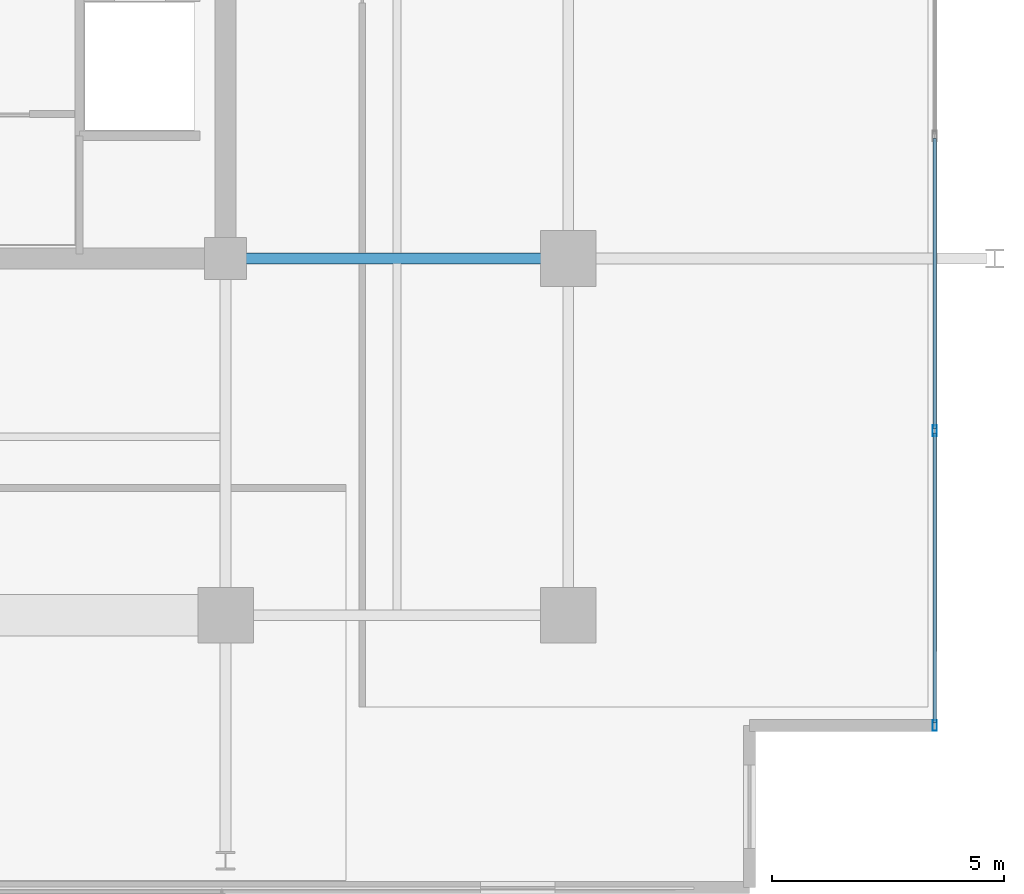
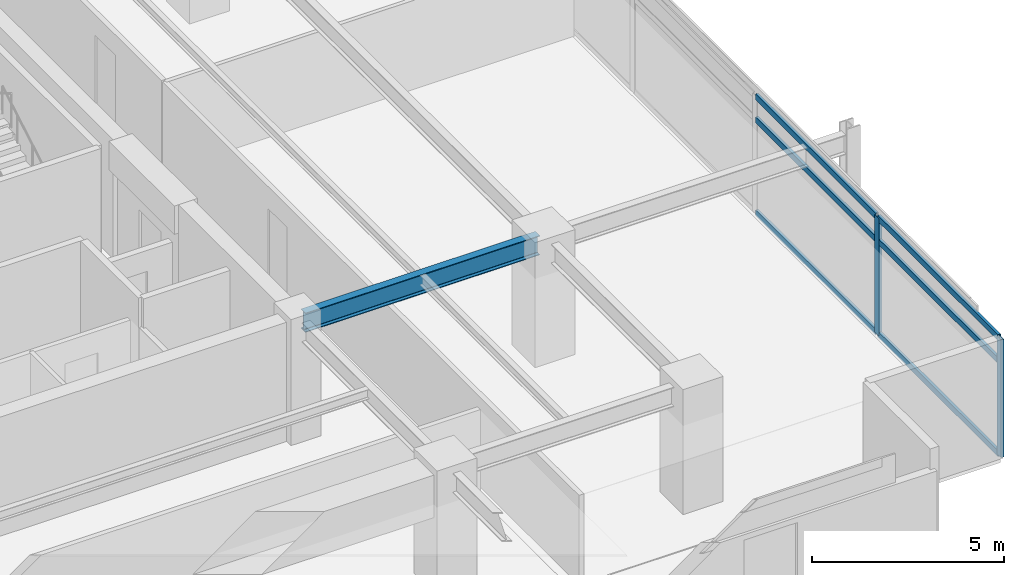
# One storey, part 7 of 23: 8 members, 1 beam, 1 element without a shape of its own.
"""IFC4 building model written with IfcOpenShell, lengths in metres."""

import ifcopenshell
import ifcopenshell.guid

model = None  # the IFC model being written
_history = None  # IfcOwnerHistory: only IFC2X3 demands one
_inside = {}  # id of a spatial element -> (the spatial element, [elements in it])
_under = {}  # id of a project, library or spatial element -> (it, [spatial elements below it])
_declared = {}  # id of a project -> (the project, [libraries it declares])
_typed = {}  # id of a type object -> (the type object, [elements of that type])
_made_of = {}  # id of a material, layer set ... -> (it, [elements and type objects made of it])


def new_model(schema):
    """Start an empty IFC model of exactly this schema.

    Asked for "IFC4X3", IfcOpenShell would pick the latest addendum, in which some entities
    have other attributes; the version numbers below select the first issue.
    IFC2X3 requires an IfcOwnerHistory on every rooted entity: one is made here for all.
    """
    global model, _history
    if schema == "IFC4X3":
        model = ifcopenshell.file(schema_version=(4, 3, 0, 0))
    else:
        model = ifcopenshell.file(schema=schema)
    _inside.clear()
    _under.clear()
    _declared.clear()
    _typed.clear()
    _made_of.clear()
    _history = None
    if model.schema == "IFC2X3":
        org = make("IfcOrganization", Name="unknown")
        user = make(
            "IfcPersonAndOrganization",
            ThePerson=make("IfcPerson", FamilyName="unknown"),
            TheOrganization=org,
        )
        app = make(
            "IfcApplication",
            ApplicationDeveloper=org,
            Version="unknown",
            ApplicationFullName="unknown",
            ApplicationIdentifier="unknown",
        )
        _history = make(
            "IfcOwnerHistory",
            OwningUser=user,
            OwningApplication=app,
            ChangeAction="ADDED",
            CreationDate=0,
        )
    return model


def make(cls, **values):
    """One entity of the class cls with the attributes given. An attribute that is None is left unset."""
    return model.create_entity(
        cls, **{name: value for name, value in values.items() if value is not None}
    )


def rooted(cls, **values):
    """An entity with a GlobalId (a new one), such as an element, a storey or a relation."""
    return make(cls, GlobalId=ifcopenshell.guid.new(), OwnerHistory=_history, **values)


def si_unit(unit_type, name, prefix=None):
    """IfcSIUnit, for example si_unit("LENGTHUNIT", "METRE", prefix="MILLI")."""
    return make("IfcSIUnit", UnitType=unit_type, Prefix=prefix, Name=name)


def assignment(units):
    """IfcUnitAssignment: the units of a project."""
    return None if units is None else make("IfcUnitAssignment", Units=units)


def point(xyz):
    """IfcCartesianPoint."""
    return None if xyz is None else make("IfcCartesianPoint", Coordinates=xyz)


def direction(xyz):
    """IfcDirection."""
    return None if xyz is None else make("IfcDirection", DirectionRatios=xyz)


def frame(location, z_axis=None, x_axis=None):
    """IfcAxis2Placement3D, a coordinate frame: its origin and axes. An axis left out is left unset."""
    return make(
        "IfcAxis2Placement3D",
        Location=point(location),
        Axis=direction(z_axis),
        RefDirection=direction(x_axis),
    )


def frame_2d(location, x_axis=None):
    """IfcAxis2Placement2D, a coordinate frame in the plane: its origin and x axis."""
    return make(
        "IfcAxis2Placement2D", Location=point(location), RefDirection=direction(x_axis)
    )


def origin():
    """The frame at (0, 0, 0) with its axes left unset."""
    return frame((0.0, 0.0, 0.0))


def origin_2d():
    """The frame at (0, 0) in the plane with its x axis left unset."""
    return frame_2d((0.0, 0.0))


def place(relative_to, where):
    """IfcLocalPlacement: puts the frame where relative to a parent placement (None: the world)."""
    return make(
        "IfcLocalPlacement", PlacementRelTo=relative_to, RelativePlacement=where
    )


def context(
    kind, dimensions, precision=None, world=None, true_north=None, identifier=None
):
    """IfcGeometricRepresentationContext, for example the 3D "Model" context."""
    return make(
        "IfcGeometricRepresentationContext",
        ContextIdentifier=identifier,
        ContextType=kind,
        CoordinateSpaceDimension=dimensions,
        Precision=precision,
        WorldCoordinateSystem=world,
        TrueNorth=true_north,
    )


def subcontext(parent, identifier, kind, view, scale=None):
    """IfcGeometricRepresentationSubContext, for example "Body" below "Model"."""
    return make(
        "IfcGeometricRepresentationSubContext",
        ContextIdentifier=identifier,
        ContextType=kind,
        ParentContext=parent,
        TargetScale=scale,
        TargetView=view,
    )


def project(units=None, contexts=None):
    """IfcProject with its units and contexts."""
    return rooted(
        "IfcProject",
        Name="project",
        RepresentationContexts=contexts,
        UnitsInContext=assignment(units),
    )


def spatial(cls, under=None, at=None, **own):
    """A site, building, storey or space (cls), placed at a placement, below another one or the project."""
    s = rooted(cls, ObjectPlacement=at, **own)
    if under is not None:
        _under.setdefault(under.id(), (under, []))[1].append(s)
    return s


def profile(cls, at=None, kind="AREA", **sizes):
    """A parametric profile (cls). Its sizes go by their IFC names, for example OverallWidth=200.0."""
    return make(cls, ProfileType=kind, Position=at, **sizes)


def hollow_rectangle(**sizes):
    """IfcRectangleHollowProfileDef."""
    return profile("IfcRectangleHollowProfileDef", **sizes)


def i_section(**sizes):
    """IfcIShapeProfileDef."""
    return profile("IfcIShapeProfileDef", **sizes)


def extrude(swept, where, along, depth):
    """IfcExtrudedAreaSolid: the profile swept, set in the frame where, extruded along a direction by depth."""
    return make(
        "IfcExtrudedAreaSolid",
        SweptArea=swept,
        Position=where,
        ExtrudedDirection=direction(along),
        Depth=depth,
    )


def shape(context_of_items, identifier, shape_type, items):
    """IfcShapeRepresentation: the items that make up one representation, for example the "Body"."""
    return make(
        "IfcShapeRepresentation",
        ContextOfItems=context_of_items,
        RepresentationIdentifier=identifier,
        RepresentationType=shape_type,
        Items=items,
    )


def material(Name=None, Category=None):
    """IfcMaterial."""
    return make("IfcMaterial", Name=Name, Category=Category)


def material_profile(
    of_material, cross_section, Name=None, Category=None, Priority=None
):
    """IfcMaterialProfile: a cross section and its material."""
    return make(
        "IfcMaterialProfile",
        Name=Name,
        Material=of_material,
        Profile=cross_section,
        Priority=Priority,
        Category=Category,
    )


def profile_set(profiles, Name=None, composite=None):
    """IfcMaterialProfileSet."""
    return make(
        "IfcMaterialProfileSet",
        Name=Name,
        MaterialProfiles=profiles,
        CompositeProfile=composite,
    )


def made_of(thing, what):
    """Note that an element or type object is made of a material, layer set ...; save() writes the relation."""
    if what is not None:
        _made_of.setdefault(what.id(), (what, []))[1].append(thing)
    return thing


def type_object(cls, material=None, **own):
    """A type object (cls), such as IfcWallType, which elements share."""
    return made_of(rooted(cls, **own), material)


def element(
    cls,
    number,
    at=None,
    inside=None,
    cuts=None,
    type_object=None,
    material=None,
    context=None,
    identifier="Body",
    shape_type=None,
    held_by="IfcProductDefinitionShape",
    body=None,
    shapes=None,
    **own,
):
    """One element of the class cls, such as IfcWall. Its Tag is "e" and its number.

    at: its placement. inside: the storey or other place that contains it. cuts: it is an
    opening in that element (IfcRelVoidsElement). A single representation is given by context,
    identifier, shape_type and body (its items); several are given by shapes. held_by: the class
    of the entity that holds the representations. save() writes the other relations.
    """
    e = rooted(cls, Tag="e%d" % number, ObjectPlacement=at, **own)
    if body is not None:
        shapes = [shape(context, identifier, shape_type, body)]
    if shapes is not None:
        e.Representation = make(held_by, Representations=shapes)
    if inside is not None:
        _inside.setdefault(inside.id(), (inside, []))[1].append(e)
    if cuts is not None:
        rooted(
            "IfcRelVoidsElement", RelatingBuildingElement=cuts, RelatedOpeningElement=e
        )
    if type_object is not None:
        _typed.setdefault(type_object.id(), (type_object, []))[1].append(e)
    return made_of(e, material)


def aggregate(whole, parts):
    """IfcRelAggregates: a whole, such as a stair, and the parts it consists of."""
    return rooted("IfcRelAggregates", RelatingObject=whole, RelatedObjects=parts)


def save(model, path):
    """Write the relations noted so far, then the file.

    IfcRelAggregates (storeys below a building ...), IfcRelContainedInSpatialStructure (elements
    in a storey), IfcRelDefinesByType, IfcRelAssociatesMaterial and IfcRelDeclares: one each for
    every whole, place, type object, material and project.
    """
    for whole, parts in _under.values():
        aggregate(whole, parts)
    for where, things in _inside.values():
        rooted(
            "IfcRelContainedInSpatialStructure",
            RelatedElements=things,
            RelatingStructure=where,
        )
    for kind, things in _typed.values():
        rooted("IfcRelDefinesByType", RelatedObjects=things, RelatingType=kind)
    for what, things in _made_of.values():
        rooted("IfcRelAssociatesMaterial", RelatedObjects=things, RelatingMaterial=what)
    for by, libraries in _declared.values():
        rooted("IfcRelDeclares", RelatingContext=by, RelatedDefinitions=libraries)
    model.write(path)


model = new_model("IFC4")

# Units and contexts
model_context = context("Model", 3, precision=1e-05, world=origin(), true_north=direction((0.0, 1.0)))
body_context = subcontext(model_context, "Body", "Model", "MODEL_VIEW")
ifc_project = project(units=[si_unit("LENGTHUNIT", "METRE"), si_unit("AREAUNIT", "SQUARE_METRE"), si_unit("VOLUMEUNIT", "CUBIC_METRE"), si_unit("PLANEANGLEUNIT", "RADIAN"), si_unit("MASSUNIT", "GRAM", prefix="KILO")], contexts=[model_context])

# Site, building, storey
site_placement = place(None, origin())
site = spatial("IfcSite", under=ifc_project, at=site_placement, CompositionType="ELEMENT")
building_placement = place(site_placement, origin())
building = spatial("IfcBuilding", under=site, at=building_placement, Name="Kovane Verandah Tower", CompositionType="ELEMENT")
storey_placement = place(building_placement, frame((0.0, 0.0, 243.199951171875)))
storey = spatial("IfcBuildingStorey", under=building, at=storey_placement, Name="L56", CompositionType="ELEMENT", Elevation=243.199951171875)

# Beam
ifc_material_1 = material(Name="Steel S355", Category="steel")
ifc_material_profile_1 = material_profile(ifc_material_1, i_section(OverallWidth=0.230224609375, OverallDepth=0.6171875, WebThickness=0.01318359375, FlangeThickness=0.022216796875, FilletRadius=0.0126953125, at=origin_2d()), Name="UB610x229x140")
ifc_profile_set_1 = profile_set([ifc_material_profile_1], Name="Steel S355")
beam_type = type_object("IfcBeamType", Name="BM-UB610x140", PredefinedType="BEAM", material=ifc_profile_set_1)
beam_placement = place(storey_placement, frame((51.179931640625, 18.5, 3.4765625), z_axis=(1.0, 0.0, 0.0), x_axis=(0.0, 1.0, 0.0)))
element("IfcBeam", 1, at=beam_placement, inside=storey, type_object=beam_type, Name="L56 Primary Tower Girder G-E1", PredefinedType="BEAM", context=body_context, shape_type="SweptSolid", body=[
    extrude(i_section(OverallWidth=0.230224609375, OverallDepth=0.6171875, WebThickness=0.01318359375, FlangeThickness=0.022216796875, FilletRadius=0.0126953125, at=origin_2d()), origin(), (0.0, 0.0, 1.0), 7.0400390625),
])

# Curtain wall, members
ifc_material_2 = material(Name="Champagne Anodised Aluminium Frame with Low-E Clear Laminated Glass", Category="aluminium")
curtain_wall_type = type_object("IfcCurtainWallType", Name="CW-SYS-05-HIGH", PredefinedType="NOTDEFINED", material=ifc_material_2)
curtain_wall_placement = place(storey_placement, origin())
curtain_wall = element("IfcCurtainWall", 2, at=curtain_wall_placement, inside=storey, type_object=curtain_wall_type, Name="L56 E Unitised Curtain Wall", PredefinedType="NOTDEFINED")
ifc_material_3 = material(Name="Champagne Anodised Aluminium 6063-T6", Category="aluminium")
ifc_material_profile_2 = material_profile(ifc_material_3, hollow_rectangle(XDim=0.0849609375, YDim=0.22998046875, WallThickness=0.00390625, at=origin_2d()), Name="AL85x230x4")
ifc_profile_set_2 = profile_set([ifc_material_profile_2], Name="Champagne Anodised Aluminium 6063-T6")
member_type_1 = type_object("IfcMemberType", Name="CW-MUL-85x230", PredefinedType="MULLION", material=ifc_profile_set_2)
member_1_placement = place(storey_placement, frame((66.3076171875, 8.419921875, 0.02001953125), z_axis=(0.0, 0.0, 1.0), x_axis=(1.0, 0.0, 0.0)))
member_1 = element("IfcMember", 3, at=member_1_placement, type_object=member_type_1, Name="L56 E Unitised Curtain Wall Mullion 1", PredefinedType="MULLION", context=body_context, shape_type="SweptSolid", body=[
    extrude(hollow_rectangle(XDim=0.0849609375, YDim=0.22998046875, WallThickness=0.00390625, at=origin_2d()), origin(), (0.0, 0.0, 1.0), 3.7451171875),
])
member_2_placement = place(storey_placement, frame((66.3076171875, 14.780029296875, 0.02001953125), z_axis=(0.0, 0.0, 1.0), x_axis=(1.0, 0.0, 0.0)))
member_2 = element("IfcMember", 4, at=member_2_placement, type_object=member_type_1, Name="L56 E Unitised Curtain Wall Mullion 2", PredefinedType="MULLION", context=body_context, shape_type="SweptSolid", body=[
    extrude(hollow_rectangle(XDim=0.0849609375, YDim=0.22998046875, WallThickness=0.00390625, at=origin_2d()), origin(), (0.0, 0.0, 1.0), 3.7451171875),
])
ifc_material_profile_3 = material_profile(ifc_material_3, hollow_rectangle(XDim=0.0849609375, YDim=0.18994140625, WallThickness=0.00390625, at=origin_2d()), Name="AL85x190x4")
ifc_profile_set_3 = profile_set([ifc_material_profile_3], Name="Champagne Anodised Aluminium 6063-T6")
member_type_2 = type_object("IfcMemberType", Name="CW-TRN-85x190", PredefinedType="USERDEFINED", material=ifc_profile_set_3)
member_3_placement = place(storey_placement, frame((66.3076171875, 8.469970703125, 0.050048828125), z_axis=(0.0, 1.0, 0.0), x_axis=(-1.0, 0.0, 0.0)))
member_3 = element("IfcMember", 5, at=member_3_placement, type_object=member_type_2, Name="L56 E Unitised Curtain Wall Transom TB Bay 1", ObjectType="TRANSOM", PredefinedType="USERDEFINED", context=body_context, shape_type="SweptSolid", body=[
    extrude(hollow_rectangle(XDim=0.0849609375, YDim=0.18994140625, WallThickness=0.00390625, at=origin_2d()), origin(), (0.0, 0.0, 1.0), 6.260009765625),
])
member_4_placement = place(storey_placement, frame((66.3076171875, 8.469970703125, 3.005126953125), z_axis=(0.0, 1.0, 0.0), x_axis=(-1.0, 0.0, 0.0)))
member_4 = element("IfcMember", 6, at=member_4_placement, type_object=member_type_2, Name="L56 E Unitised Curtain Wall Transom TM Bay 1", ObjectType="TRANSOM", PredefinedType="USERDEFINED", context=body_context, shape_type="SweptSolid", body=[
    extrude(hollow_rectangle(XDim=0.0849609375, YDim=0.18994140625, WallThickness=0.00390625, at=origin_2d()), origin(), (0.0, 0.0, 1.0), 6.260009765625),
])
member_5_placement = place(storey_placement, frame((66.3076171875, 8.469970703125, 3.735107421875), z_axis=(0.0, 1.0, 0.0), x_axis=(-1.0, 0.0, 0.0)))
member_5 = element("IfcMember", 7, at=member_5_placement, type_object=member_type_2, Name="L56 E Unitised Curtain Wall Transom TT Bay 1", ObjectType="TRANSOM", PredefinedType="USERDEFINED", context=body_context, shape_type="SweptSolid", body=[
    extrude(hollow_rectangle(XDim=0.0849609375, YDim=0.18994140625, WallThickness=0.00390625, at=origin_2d()), origin(), (0.0, 0.0, 1.0), 6.260009765625),
])
member_6_placement = place(storey_placement, frame((66.3076171875, 14.830078125, 0.050048828125), z_axis=(0.0, 1.0, 0.0), x_axis=(-1.0, 0.0, 0.0)))
member_6 = element("IfcMember", 8, at=member_6_placement, type_object=member_type_2, Name="L56 E Unitised Curtain Wall Transom TB Bay 2", ObjectType="TRANSOM", PredefinedType="USERDEFINED", context=body_context, shape_type="SweptSolid", body=[
    extrude(hollow_rectangle(XDim=0.0849609375, YDim=0.18994140625, WallThickness=0.00390625, at=origin_2d()), origin(), (0.0, 0.0, 1.0), 6.260009765625),
])
member_7_placement = place(storey_placement, frame((66.3076171875, 14.830078125, 3.005126953125), z_axis=(0.0, 1.0, 0.0), x_axis=(-1.0, 0.0, 0.0)))
member_7 = element("IfcMember", 9, at=member_7_placement, type_object=member_type_2, Name="L56 E Unitised Curtain Wall Transom TM Bay 2", ObjectType="TRANSOM", PredefinedType="USERDEFINED", context=body_context, shape_type="SweptSolid", body=[
    extrude(hollow_rectangle(XDim=0.0849609375, YDim=0.18994140625, WallThickness=0.00390625, at=origin_2d()), origin(), (0.0, 0.0, 1.0), 6.260009765625),
])
member_8_placement = place(storey_placement, frame((66.3076171875, 14.830078125, 3.735107421875), z_axis=(0.0, 1.0, 0.0), x_axis=(-1.0, 0.0, 0.0)))
member_8 = element("IfcMember", 10, at=member_8_placement, type_object=member_type_2, Name="L56 E Unitised Curtain Wall Transom TT Bay 2", ObjectType="TRANSOM", PredefinedType="USERDEFINED", context=body_context, shape_type="SweptSolid", body=[
    extrude(hollow_rectangle(XDim=0.0849609375, YDim=0.18994140625, WallThickness=0.00390625, at=origin_2d()), origin(), (0.0, 0.0, 1.0), 6.260009765625),
])
aggregate(curtain_wall, [member_1, member_2, member_3, member_4, member_5, member_6, member_7, member_8])

save(model, "model.ifc")
